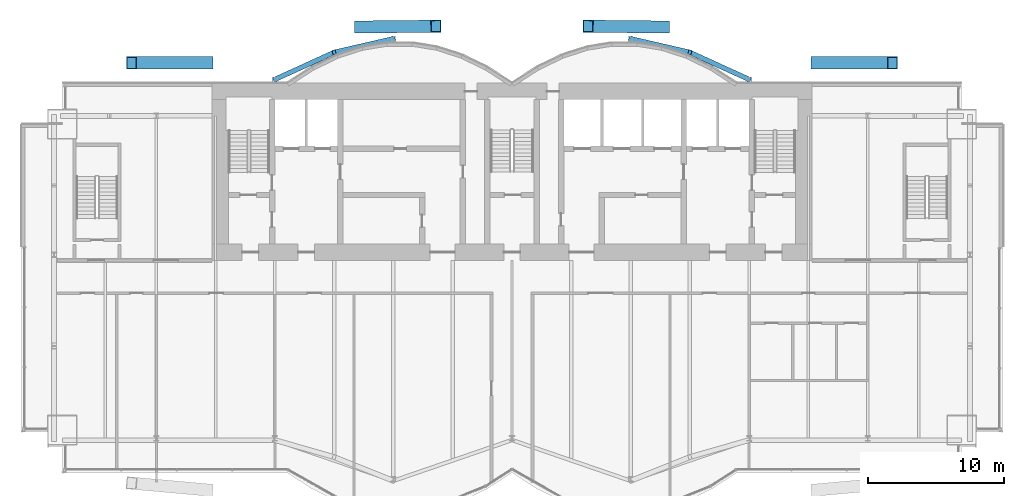
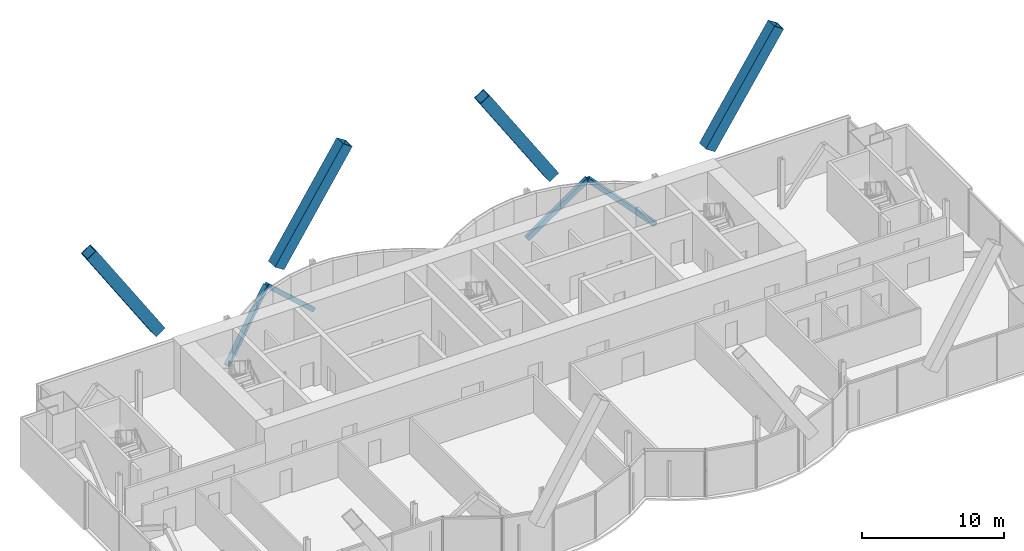
# One storey, part 10 of 19: 8 members.
"""IFC4 building model written with IfcOpenShell, lengths in metres."""

import ifcopenshell
import ifcopenshell.guid

model = None  # the IFC model being written
_history = None  # IfcOwnerHistory: only IFC2X3 demands one
_inside = {}  # id of a spatial element -> (the spatial element, [elements in it])
_under = {}  # id of a project, library or spatial element -> (it, [spatial elements below it])
_declared = {}  # id of a project -> (the project, [libraries it declares])
_typed = {}  # id of a type object -> (the type object, [elements of that type])
_made_of = {}  # id of a material, layer set ... -> (it, [elements and type objects made of it])


def new_model(schema):
    """Start an empty IFC model of exactly this schema.

    Asked for "IFC4X3", IfcOpenShell would pick the latest addendum, in which some entities
    have other attributes; the version numbers below select the first issue.
    IFC2X3 requires an IfcOwnerHistory on every rooted entity: one is made here for all.
    """
    global model, _history
    if schema == "IFC4X3":
        model = ifcopenshell.file(schema_version=(4, 3, 0, 0))
    else:
        model = ifcopenshell.file(schema=schema)
    _inside.clear()
    _under.clear()
    _declared.clear()
    _typed.clear()
    _made_of.clear()
    _history = None
    if model.schema == "IFC2X3":
        org = make("IfcOrganization", Name="unknown")
        user = make(
            "IfcPersonAndOrganization",
            ThePerson=make("IfcPerson", FamilyName="unknown"),
            TheOrganization=org,
        )
        app = make(
            "IfcApplication",
            ApplicationDeveloper=org,
            Version="unknown",
            ApplicationFullName="unknown",
            ApplicationIdentifier="unknown",
        )
        _history = make(
            "IfcOwnerHistory",
            OwningUser=user,
            OwningApplication=app,
            ChangeAction="ADDED",
            CreationDate=0,
        )
    return model


def make(cls, **values):
    """One entity of the class cls with the attributes given. An attribute that is None is left unset."""
    return model.create_entity(
        cls, **{name: value for name, value in values.items() if value is not None}
    )


def rooted(cls, **values):
    """An entity with a GlobalId (a new one), such as an element, a storey or a relation."""
    return make(cls, GlobalId=ifcopenshell.guid.new(), OwnerHistory=_history, **values)


def si_unit(unit_type, name, prefix=None):
    """IfcSIUnit, for example si_unit("LENGTHUNIT", "METRE", prefix="MILLI")."""
    return make("IfcSIUnit", UnitType=unit_type, Prefix=prefix, Name=name)


def assignment(units):
    """IfcUnitAssignment: the units of a project."""
    return None if units is None else make("IfcUnitAssignment", Units=units)


def point(xyz):
    """IfcCartesianPoint."""
    return None if xyz is None else make("IfcCartesianPoint", Coordinates=xyz)


def direction(xyz):
    """IfcDirection."""
    return None if xyz is None else make("IfcDirection", DirectionRatios=xyz)


def frame(location, z_axis=None, x_axis=None):
    """IfcAxis2Placement3D, a coordinate frame: its origin and axes. An axis left out is left unset."""
    return make(
        "IfcAxis2Placement3D",
        Location=point(location),
        Axis=direction(z_axis),
        RefDirection=direction(x_axis),
    )


def frame_2d(location, x_axis=None):
    """IfcAxis2Placement2D, a coordinate frame in the plane: its origin and x axis."""
    return make(
        "IfcAxis2Placement2D", Location=point(location), RefDirection=direction(x_axis)
    )


def origin():
    """The frame at (0, 0, 0) with its axes left unset."""
    return frame((0.0, 0.0, 0.0))


def origin_2d():
    """The frame at (0, 0) in the plane with its x axis left unset."""
    return frame_2d((0.0, 0.0))


def place(relative_to, where):
    """IfcLocalPlacement: puts the frame where relative to a parent placement (None: the world)."""
    return make(
        "IfcLocalPlacement", PlacementRelTo=relative_to, RelativePlacement=where
    )


def context(
    kind, dimensions, precision=None, world=None, true_north=None, identifier=None
):
    """IfcGeometricRepresentationContext, for example the 3D "Model" context."""
    return make(
        "IfcGeometricRepresentationContext",
        ContextIdentifier=identifier,
        ContextType=kind,
        CoordinateSpaceDimension=dimensions,
        Precision=precision,
        WorldCoordinateSystem=world,
        TrueNorth=true_north,
    )


def subcontext(parent, identifier, kind, view, scale=None):
    """IfcGeometricRepresentationSubContext, for example "Body" below "Model"."""
    return make(
        "IfcGeometricRepresentationSubContext",
        ContextIdentifier=identifier,
        ContextType=kind,
        ParentContext=parent,
        TargetScale=scale,
        TargetView=view,
    )


def project(units=None, contexts=None):
    """IfcProject with its units and contexts."""
    return rooted(
        "IfcProject",
        Name="project",
        RepresentationContexts=contexts,
        UnitsInContext=assignment(units),
    )


def spatial(cls, under=None, at=None, **own):
    """A site, building, storey or space (cls), placed at a placement, below another one or the project."""
    s = rooted(cls, ObjectPlacement=at, **own)
    if under is not None:
        _under.setdefault(under.id(), (under, []))[1].append(s)
    return s


def profile(cls, at=None, kind="AREA", **sizes):
    """A parametric profile (cls). Its sizes go by their IFC names, for example OverallWidth=200.0."""
    return make(cls, ProfileType=kind, Position=at, **sizes)


def hollow_rectangle(**sizes):
    """IfcRectangleHollowProfileDef."""
    return profile("IfcRectangleHollowProfileDef", **sizes)


def extrude(swept, where, along, depth):
    """IfcExtrudedAreaSolid: the profile swept, set in the frame where, extruded along a direction by depth."""
    return make(
        "IfcExtrudedAreaSolid",
        SweptArea=swept,
        Position=where,
        ExtrudedDirection=direction(along),
        Depth=depth,
    )


def shape(context_of_items, identifier, shape_type, items):
    """IfcShapeRepresentation: the items that make up one representation, for example the "Body"."""
    return make(
        "IfcShapeRepresentation",
        ContextOfItems=context_of_items,
        RepresentationIdentifier=identifier,
        RepresentationType=shape_type,
        Items=items,
    )


def material(Name=None, Category=None):
    """IfcMaterial."""
    return make("IfcMaterial", Name=Name, Category=Category)


def material_profile(
    of_material, cross_section, Name=None, Category=None, Priority=None
):
    """IfcMaterialProfile: a cross section and its material."""
    return make(
        "IfcMaterialProfile",
        Name=Name,
        Material=of_material,
        Profile=cross_section,
        Priority=Priority,
        Category=Category,
    )


def profile_set(profiles, Name=None, composite=None):
    """IfcMaterialProfileSet."""
    return make(
        "IfcMaterialProfileSet",
        Name=Name,
        MaterialProfiles=profiles,
        CompositeProfile=composite,
    )


def made_of(thing, what):
    """Note that an element or type object is made of a material, layer set ...; save() writes the relation."""
    if what is not None:
        _made_of.setdefault(what.id(), (what, []))[1].append(thing)
    return thing


def type_object(cls, material=None, **own):
    """A type object (cls), such as IfcWallType, which elements share."""
    return made_of(rooted(cls, **own), material)


def element(
    cls,
    number,
    at=None,
    inside=None,
    cuts=None,
    type_object=None,
    material=None,
    context=None,
    identifier="Body",
    shape_type=None,
    held_by="IfcProductDefinitionShape",
    body=None,
    shapes=None,
    **own,
):
    """One element of the class cls, such as IfcWall. Its Tag is "e" and its number.

    at: its placement. inside: the storey or other place that contains it. cuts: it is an
    opening in that element (IfcRelVoidsElement). A single representation is given by context,
    identifier, shape_type and body (its items); several are given by shapes. held_by: the class
    of the entity that holds the representations. save() writes the other relations.
    """
    e = rooted(cls, Tag="e%d" % number, ObjectPlacement=at, **own)
    if body is not None:
        shapes = [shape(context, identifier, shape_type, body)]
    if shapes is not None:
        e.Representation = make(held_by, Representations=shapes)
    if inside is not None:
        _inside.setdefault(inside.id(), (inside, []))[1].append(e)
    if cuts is not None:
        rooted(
            "IfcRelVoidsElement", RelatingBuildingElement=cuts, RelatedOpeningElement=e
        )
    if type_object is not None:
        _typed.setdefault(type_object.id(), (type_object, []))[1].append(e)
    return made_of(e, material)


def aggregate(whole, parts):
    """IfcRelAggregates: a whole, such as a stair, and the parts it consists of."""
    return rooted("IfcRelAggregates", RelatingObject=whole, RelatedObjects=parts)


def save(model, path):
    """Write the relations noted so far, then the file.

    IfcRelAggregates (storeys below a building ...), IfcRelContainedInSpatialStructure (elements
    in a storey), IfcRelDefinesByType, IfcRelAssociatesMaterial and IfcRelDeclares: one each for
    every whole, place, type object, material and project.
    """
    for whole, parts in _under.values():
        aggregate(whole, parts)
    for where, things in _inside.values():
        rooted(
            "IfcRelContainedInSpatialStructure",
            RelatedElements=things,
            RelatingStructure=where,
        )
    for kind, things in _typed.values():
        rooted("IfcRelDefinesByType", RelatedObjects=things, RelatingType=kind)
    for what, things in _made_of.values():
        rooted("IfcRelAssociatesMaterial", RelatedObjects=things, RelatingMaterial=what)
    for by, libraries in _declared.values():
        rooted("IfcRelDeclares", RelatingContext=by, RelatedDefinitions=libraries)
    model.write(path)


model = new_model("IFC4")

# Units and contexts
model_context = context("Model", 3, precision=1e-05, world=origin(), true_north=direction((0.0, 1.0)))
body_context = subcontext(model_context, "Body", "Model", "MODEL_VIEW")
ifc_project = project(units=[si_unit("LENGTHUNIT", "METRE"), si_unit("AREAUNIT", "SQUARE_METRE"), si_unit("VOLUMEUNIT", "CUBIC_METRE"), si_unit("PLANEANGLEUNIT", "RADIAN"), si_unit("MASSUNIT", "GRAM", prefix="KILO")], contexts=[model_context])

# Site, building, storey
site_placement = place(None, origin())
site = spatial("IfcSite", under=ifc_project, at=site_placement, CompositionType="ELEMENT")
building_placement = place(site_placement, origin())
building = spatial("IfcBuilding", under=site, at=building_placement, Name="Bicima Exchange Tower", CompositionType="ELEMENT")
storey_placement = place(building_placement, frame((0.0, 0.0, 270.800048828125)))
storey = spatial("IfcBuildingStorey", under=building, at=storey_placement, Name="L61", CompositionType="ELEMENT", Elevation=270.800048828125)

# Members
ifc_material = material(Name="Steel ASTM A572 Gr 50", Category="steel")
ifc_material_profile_1 = material_profile(ifc_material, hollow_rectangle(XDim=0.89990234375, YDim=0.89990234375, WallThickness=0.050048828125, at=origin_2d()))
ifc_profile_set_1 = profile_set([ifc_material_profile_1], Name="Steel ASTM A572 Gr 50")
member_type_1 = type_object("IfcMemberType", Name="Exo mega brace BOX 900x900x50", PredefinedType="BRACE", material=ifc_profile_set_1)
member_1_placement = place(storey_placement, frame((-11.166748046875, 4.125, 4.099853515625), z_axis=(0.544528211453, 0.006000048504, 0.838721065879), x_axis=(-0.011018133066, 0.99993929853, 0.0)))
element("IfcMember", 1, at=member_1_placement, inside=storey, type_object=member_type_1, Name="Exo mega brace rear", PredefinedType="BRACE", context=body_context, shape_type="SweptSolid", body=[
    extrude(hollow_rectangle(XDim=0.89990234375, YDim=0.89990234375, WallThickness=0.050048828125, at=origin_2d()), origin(), (0.0, 0.0, 1.0), 10.25390625),
])
for number, where, z_axis, x_axis, name in (
    (2, (22.333251953125, 1.5, 4.099853515625), (0.544538013384, 0.0, 0.83873616351), (0.0, 1.0, 0.0), "Exo mega brace rear"),
    (3, (-22.333251953125, 1.5, 4.099853515625), (-0.544538013384, 0.0, 0.83873616351), (0.0, -1.0, 0.0), "Exo mega brace rear"),
):
    element("IfcMember", number, at=place(storey_placement, frame(where, z_axis=z_axis, x_axis=x_axis)), inside=storey, type_object=member_type_1, Name=name, PredefinedType="BRACE", context=body_context, shape_type="SweptSolid", body=[
        extrude(hollow_rectangle(XDim=0.89990234375, YDim=0.89990234375, WallThickness=0.050048828125, at=origin_2d()), origin(), (0.0, 0.0, 1.0), 10.253662109375),
    ])
member_2_placement = place(storey_placement, frame((11.166748046875, 4.125, 4.099853515625), z_axis=(-0.544528211453, 0.006000048504, 0.838721065879), x_axis=(-0.011018133066, -0.99993929853, 0.0)))
element("IfcMember", 4, at=member_2_placement, inside=storey, type_object=member_type_1, Name="Exo mega brace rear", PredefinedType="BRACE", context=body_context, shape_type="SweptSolid", body=[
    extrude(hollow_rectangle(XDim=0.89990234375, YDim=0.89990234375, WallThickness=0.050048828125, at=origin_2d()), origin(), (0.0, 0.0, 1.0), 10.25390625),
])
ifc_material_profile_2 = material_profile(ifc_material, hollow_rectangle(XDim=0.355712890625, YDim=0.355712890625, WallThickness=0.0146484375, at=origin_2d()))
ifc_profile_set_2 = profile_set([ifc_material_profile_2], Name="Steel ASTM A572 Gr 50")
member_type_2 = type_object("IfcMemberType", Name="Mega brace HSS14x14x5/8", PredefinedType="BRACE", material=ifc_profile_set_2)
member_3_placement = place(storey_placement, frame((-17.39990234375, 0.278076171875, 0.0), z_axis=(0.683525692449, 0.311819993726, 0.659970392726), x_axis=(-0.415045223819, 0.909800781592, 0.0)))
element("IfcMember", 5, at=member_3_placement, inside=storey, type_object=member_type_2, Name="Mega brace rexo", PredefinedType="BRACE", context=body_context, shape_type="SweptSolid", body=[
    extrude(hollow_rectangle(XDim=0.355712890625, YDim=0.355712890625, WallThickness=0.0146484375, at=origin_2d()), origin(), (0.0, 0.0, 1.0), 6.36376953125),
])
for number, where, z_axis, x_axis, name in (
    (6, (-8.699951171875, 3.26904296875, 0.0), (-0.709647653042, -0.164209073605, 0.68515369712), (0.225438503722, -0.974257399787, 0.0), "Mega brace rexo"),
    (7, (8.699951171875, 3.26904296875, 0.0), (0.709647653042, -0.164209073605, 0.68515369712), (0.225438503722, 0.974257399787, 0.0), "Mega brace rexo"),
):
    element("IfcMember", number, at=place(storey_placement, frame(where, z_axis=z_axis, x_axis=x_axis)), inside=storey, type_object=member_type_2, Name=name, PredefinedType="BRACE", context=body_context, shape_type="SweptSolid", body=[
        extrude(hollow_rectangle(XDim=0.355712890625, YDim=0.355712890625, WallThickness=0.0146484375, at=origin_2d()), origin(), (0.0, 0.0, 1.0), 6.1298828125),
    ])
member_4_placement = place(storey_placement, frame((17.39990234375, 0.278076171875, 0.0), z_axis=(-0.683525692449, 0.311819993726, 0.659970392726), x_axis=(-0.415045223819, -0.909800781592, 0.0)))
element("IfcMember", 8, at=member_4_placement, inside=storey, type_object=member_type_2, Name="Mega brace rexo", PredefinedType="BRACE", context=body_context, shape_type="SweptSolid", body=[
    extrude(hollow_rectangle(XDim=0.355712890625, YDim=0.355712890625, WallThickness=0.0146484375, at=origin_2d()), origin(), (0.0, 0.0, 1.0), 6.36376953125),
])

save(model, "model.ifc")
